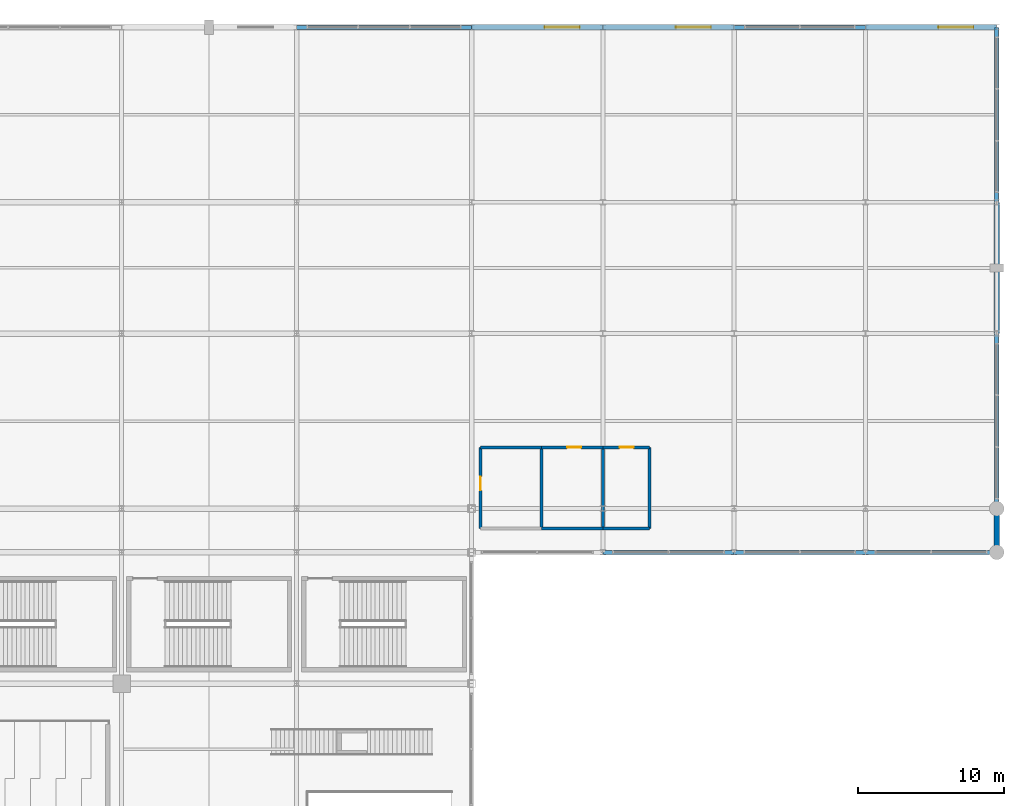
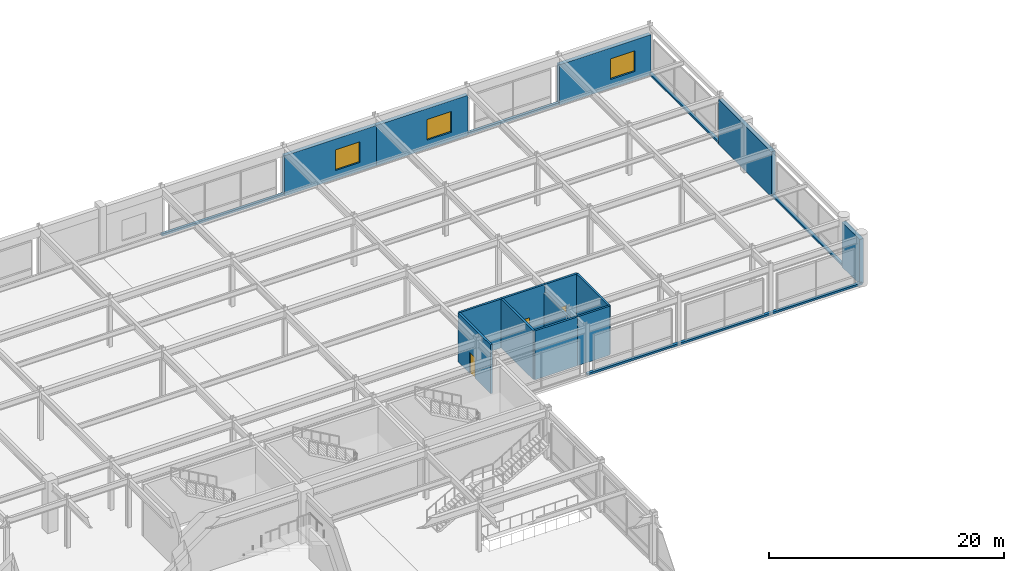
# One storey, part 88 of 100: 21 walls, 3 doors, 3 windows, 6 openings.
"""IFC4 building model written with IfcOpenShell, lengths in metres."""

from ifc_helpers import new_model, si_unit, direction, frame, frame_2d, origin, place, context, subcontext, project, spatial, rectangle, extrude, material, layer, layer_set, type_object, element, fill, save


model = new_model("IFC4")

# Units and contexts
model_context = context("Model", 3, precision=1e-05, world=origin(), true_north=direction((0.0, 1.0)))
body_context = subcontext(model_context, "Body", "Model", "MODEL_VIEW")
ifc_project = project(units=[si_unit("LENGTHUNIT", "METRE"), si_unit("AREAUNIT", "SQUARE_METRE"), si_unit("VOLUMEUNIT", "CUBIC_METRE"), si_unit("PLANEANGLEUNIT", "RADIAN"), si_unit("MASSUNIT", "GRAM", prefix="KILO")], contexts=[model_context])

# Site, building, storey
site_placement = place(None, origin())
site = spatial("IfcSite", under=ifc_project, at=site_placement, CompositionType="ELEMENT")
building_placement = place(site_placement, origin())
building = spatial("IfcBuilding", under=site, at=building_placement, Name="Kaldorvane Square Convention Centre", CompositionType="ELEMENT")
storey_placement = place(building_placement, frame((0.0, 0.0, 18.0)))
storey = spatial("IfcBuildingStorey", under=building, at=storey_placement, Name="L03", CompositionType="ELEMENT", Elevation=18.0)

# Walls
ifc_material_1 = material(Name="Fire-Rated Gypsum Board on Acoustic Steel Studs", Category="steel")
ifc_layer_1 = layer(ifc_material_1, 0.1999969482421875)
ifc_layer_set_1 = layer_set([ifc_layer_1], Name="Fire-Rated Gypsum Board on Acoustic Steel Studs")
wall_type_1 = type_object("IfcWallType", Name="WL-CORR-200", PredefinedType="PARTITIONING", material=ifc_layer_set_1)
wall_1_placement = place(storey_placement, frame((142.8000030517578, 82.64999389648438, 0.0), z_axis=(0.0, 0.0, 1.0), x_axis=(0.0, 1.0, 0.0)))
element("IfcWall", 1, at=wall_1_placement, inside=storey, type_object=wall_type_1, Name="East Concourse Men's Restroom (L03) E Wall", PredefinedType="PARTITIONING", context=body_context, shape_type="SweptSolid", body=[
    extrude(rectangle(XDim=5.5500030517578125, YDim=0.1999969482421875, at=frame_2d((2.774993896484375, 0.0))), origin(), (0.0, 0.0, 1.0), 5.0800018310546875),
])
wall_2_placement = place(storey_placement, frame((142.8000030517578, 88.19999694824219, 0.0), z_axis=(0.0, 0.0, 1.0), x_axis=(-1.0, 0.0, 0.0)))
element("IfcWall", 2, at=wall_2_placement, inside=storey, type_object=wall_type_1, Name="East Concourse Men's Restroom (L03) N Wall", PredefinedType="PARTITIONING", context=body_context, shape_type="SweptSolid", body=[
    extrude(rectangle(XDim=4.1999969482421875, YDim=0.1999969482421875, at=frame_2d((2.100006103515625, 0.0))), origin(), (0.0, 0.0, 1.0), 5.0800018310546875),
])

# Wall, opening, door
wall_3_placement = place(storey_placement, frame((138.60000610351562, 88.19999694824219, 0.0), z_axis=(0.0, 0.0, 1.0), x_axis=(0.0, -1.0, 0.0)))
wall_3 = element("IfcWall", 3, at=wall_3_placement, inside=storey, type_object=wall_type_1, Name="East Concourse Men's Restroom (L03) W Wall", PredefinedType="PARTITIONING", context=body_context, shape_type="SweptSolid", body=[
    extrude(rectangle(XDim=5.5500030517578125, YDim=0.1999969482421875, at=frame_2d((2.774993896484375, 0.0))), origin(), (0.0, 0.0, 1.0), 5.0800018310546875),
])
opening_1_placement = place(wall_3_placement, frame((2.0, 0.0, 0.0)))
opening_1 = element("IfcOpeningElement", 4, at=opening_1_placement, cuts=wall_3, Name="Opening ID-13", PredefinedType="OPENING", context=body_context, shape_type="SweptSolid", body=[
    extrude(rectangle(XDim=0.9499969482421875, YDim=2.149993896484375, at=frame_2d((0.475006103515625, 1.0749969482421875))), frame((0.0, 0.114990234375, 0.0), z_axis=(0.0, -1.0, 0.0), x_axis=(1.0, 0.0, 0.0)), (0.0, 0.0, 1.0), 0.2299957275390625),
])
ifc_material_2 = material(Name="Architectural Solid-Core White Oak")
door_type = type_object("IfcDoorType", Name="DR-WC-0950X2150", OperationType="SINGLE_SWING_LEFT", PredefinedType="DOOR", material=ifc_material_2)
door_1_placement = place(opening_1_placement, origin())
door_1 = element("IfcDoor", 5, at=door_1_placement, inside=storey, type_object=door_type, Name="East Concourse Men's Restroom (L03) Door 1", OperationType="SINGLE_SWING_LEFT", OverallHeight=2.149993896484375, OverallWidth=0.9499969482421875, PredefinedType="DOOR", context=body_context, shape_type="SweptSolid", body=[
    extrude(rectangle(XDim=0.9499969482421875, YDim=2.149993896484375, at=frame_2d((0.475006103515625, 1.0749969482421875))), frame((0.0, 0.024993896484375, 0.0), z_axis=(0.0, -1.0, 0.0), x_axis=(1.0, 0.0, 0.0)), (0.0, 0.0, 1.0), 0.0500030517578125),
])
fill(opening_1, door_1)

# Walls
wall_4_placement = place(storey_placement, frame((142.8000030517578, 82.64999389648438, 0.0), z_axis=(0.0, 0.0, 1.0), x_axis=(1.0, 0.0, 0.0)))
element("IfcWall", 6, at=wall_4_placement, inside=storey, type_object=wall_type_1, Name="East Concourse Women's Restroom (L03) S Wall", PredefinedType="PARTITIONING", context=body_context, shape_type="SweptSolid", body=[
    extrude(rectangle(XDim=4.1999969482421875, YDim=0.1999969482421875, at=frame_2d((2.100006103515625, 0.0))), origin(), (0.0, 0.0, 1.0), 5.0800018310546875),
])
wall_5_placement = place(storey_placement, frame((147.0, 82.64999389648438, 0.0), z_axis=(0.0, 0.0, 1.0), x_axis=(0.0, 1.0, 0.0)))
element("IfcWall", 7, at=wall_5_placement, inside=storey, type_object=wall_type_1, Name="East Concourse Women's Restroom (L03) E Wall", PredefinedType="PARTITIONING", context=body_context, shape_type="SweptSolid", body=[
    extrude(rectangle(XDim=5.5500030517578125, YDim=0.1999969482421875, at=frame_2d((2.774993896484375, 0.0))), origin(), (0.0, 0.0, 1.0), 4.2299957275390625),
])

# Wall, opening, door
wall_6_placement = place(storey_placement, frame((147.0, 88.19999694824219, 0.0), z_axis=(0.0, 0.0, 1.0), x_axis=(-1.0, 0.0, 0.0)))
wall_6 = element("IfcWall", 8, at=wall_6_placement, inside=storey, type_object=wall_type_1, Name="East Concourse Women's Restroom (L03) N Wall", PredefinedType="PARTITIONING", context=body_context, shape_type="SweptSolid", body=[
    extrude(rectangle(XDim=4.1999969482421875, YDim=0.1999969482421875, at=frame_2d((2.100006103515625, 0.0))), origin(), (0.0, 0.0, 1.0), 5.0800018310546875),
])
opening_2_placement = place(wall_6_placement, frame((1.5, 0.0, 0.0)))
opening_2 = element("IfcOpeningElement", 9, at=opening_2_placement, cuts=wall_6, Name="Opening ID-13", PredefinedType="OPENING", context=body_context, shape_type="SweptSolid", body=[
    extrude(rectangle(XDim=0.9499969482421875, YDim=2.149993896484375, at=frame_2d((0.475006103515625, 1.0749969482421875))), frame((0.0, 0.114990234375, 0.0), z_axis=(0.0, -1.0, 0.0), x_axis=(1.0, 0.0, 0.0)), (0.0, 0.0, 1.0), 0.2299957275390625),
])
door_2_placement = place(opening_2_placement, origin())
door_2 = element("IfcDoor", 10, at=door_2_placement, inside=storey, type_object=door_type, Name="East Concourse Women's Restroom (L03) Door 1", OperationType="SINGLE_SWING_LEFT", OverallHeight=2.149993896484375, OverallWidth=0.9499969482421875, PredefinedType="DOOR", context=body_context, shape_type="SweptSolid", body=[
    extrude(rectangle(XDim=0.9499969482421875, YDim=2.149993896484375, at=frame_2d((0.475006103515625, 1.0749969482421875))), frame((0.0, 0.024993896484375, 0.0), z_axis=(0.0, -1.0, 0.0), x_axis=(1.0, 0.0, 0.0)), (0.0, 0.0, 1.0), 0.0500030517578125),
])
fill(opening_2, door_2)

# Walls
wall_7_placement = place(storey_placement, frame((147.0, 82.64999389648438, 0.0), z_axis=(0.0, 0.0, 1.0), x_axis=(1.0, 0.0, 0.0)))
element("IfcWall", 11, at=wall_7_placement, inside=storey, type_object=wall_type_1, Name="East Concourse Accessible Restroom (L03) S Wall", PredefinedType="PARTITIONING", context=body_context, shape_type="SweptSolid", body=[
    extrude(rectangle(XDim=3.1999969482421875, YDim=0.1999969482421875, at=frame_2d((1.600006103515625, 0.0))), origin(), (0.0, 0.0, 1.0), 5.0800018310546875),
])
wall_8_placement = place(storey_placement, frame((150.1999969482422, 82.64999389648438, 0.0), z_axis=(0.0, 0.0, 1.0), x_axis=(0.0, 1.0, 0.0)))
element("IfcWall", 12, at=wall_8_placement, inside=storey, type_object=wall_type_1, Name="East Concourse Accessible Restroom (L03) E Wall", PredefinedType="PARTITIONING", context=body_context, shape_type="SweptSolid", body=[
    extrude(rectangle(XDim=5.5500030517578125, YDim=0.1999969482421875, at=frame_2d((2.774993896484375, 0.0))), origin(), (0.0, 0.0, 1.0), 5.0800018310546875),
])

# Wall, opening, door
wall_9_placement = place(storey_placement, frame((150.1999969482422, 88.19999694824219, 0.0), z_axis=(0.0, 0.0, 1.0), x_axis=(-1.0, 0.0, 0.0)))
wall_9 = element("IfcWall", 13, at=wall_9_placement, inside=storey, type_object=wall_type_1, Name="East Concourse Accessible Restroom (L03) N Wall", PredefinedType="PARTITIONING", context=body_context, shape_type="SweptSolid", body=[
    extrude(rectangle(XDim=3.1999969482421875, YDim=0.1999969482421875, at=frame_2d((1.600006103515625, 0.0))), origin(), (0.0, 0.0, 1.0), 5.0800018310546875),
])
opening_3_placement = place(wall_9_placement, frame((1.100006103515625, 0.0, 0.0)))
opening_3 = element("IfcOpeningElement", 14, at=opening_3_placement, cuts=wall_9, Name="Opening ID-13", PredefinedType="OPENING", context=body_context, shape_type="SweptSolid", body=[
    extrude(rectangle(XDim=0.9499969482421875, YDim=2.149993896484375, at=frame_2d((0.475006103515625, 1.0749969482421875))), frame((0.0, 0.114990234375, 0.0), z_axis=(0.0, -1.0, 0.0), x_axis=(1.0, 0.0, 0.0)), (0.0, 0.0, 1.0), 0.2299957275390625),
])
door_3_placement = place(opening_3_placement, origin())
door_3 = element("IfcDoor", 15, at=door_3_placement, inside=storey, type_object=door_type, Name="East Concourse Accessible Restroom (L03) Door 1", OperationType="SINGLE_SWING_LEFT", OverallHeight=2.149993896484375, OverallWidth=0.9499969482421875, PredefinedType="DOOR", context=body_context, shape_type="SweptSolid", body=[
    extrude(rectangle(XDim=0.9499969482421875, YDim=2.149993896484375, at=frame_2d((0.475006103515625, 1.0749969482421875))), frame((0.0, 0.024993896484375, 0.0), z_axis=(0.0, -1.0, 0.0), x_axis=(1.0, 0.0, 0.0)), (0.0, 0.0, 1.0), 0.0500030517578125),
])
fill(opening_3, door_3)

# Wall, opening, window
ifc_material_3 = material(Name="Concrete f'c = 42 MPa (Normalweight)", Category="concrete")
ifc_layer_2 = layer(ifc_material_3, 0.3800048828125)
ifc_layer_set_2 = layer_set([ifc_layer_2], Name="Concrete f'c = 42 MPa (Normalweight)")
wall_type_2 = type_object("IfcWallType", Name="WL-EXT-380", PredefinedType="STANDARD", material=ifc_layer_set_2)
wall_10_placement = place(storey_placement, frame((147.0, 117.0, 0.0), z_axis=(0.0, 0.0, 1.0), x_axis=(-1.0, 0.0, 0.0)))
wall_10 = element("IfcWall", 16, at=wall_10_placement, inside=storey, type_object=wall_type_2, Name="North Square Brutalist Facade Wall (L03)", PredefinedType="STANDARD", context=body_context, shape_type="SweptSolid", body=[
    extrude(rectangle(XDim=9.0, YDim=0.3800048828125, at=frame_2d((4.5, 0.0))), origin(), (0.0, 0.0, 1.0), 4.175994873046875),
])
opening_4_placement = place(wall_10_placement, frame((1.600006103515625, 0.0, 0.899993896484375)))
opening_4 = element("IfcOpeningElement", 17, at=opening_4_placement, cuts=wall_10, Name="Opening W-19", PredefinedType="OPENING", context=body_context, shape_type="SweptSolid", body=[
    extrude(rectangle(XDim=2.399993896484375, YDim=2.149993896484375, at=frame_2d((1.1999969482421875, 1.0749969482421875))), frame((0.0, 0.2050018310546875, 0.0), z_axis=(0.0, -1.0, 0.0), x_axis=(1.0, 0.0, 0.0)), (0.0, 0.0, 1.0), 0.410003662109375),
])
ifc_material_4 = material(Name="Anodized Aluminum and Low-E Insulated Glazing", Category="aluminium")
window_type = type_object("IfcWindowType", Name="WN-POD-2400X2150", PartitioningType="DOUBLE_PANEL_VERTICAL", PredefinedType="WINDOW", material=ifc_material_4)
window_1_placement = place(opening_4_placement, origin())
window_1 = element("IfcWindow", 18, at=window_1_placement, inside=storey, type_object=window_type, Name="North Facade Window (L03)", OverallHeight=2.149993896484375, OverallWidth=2.399993896484375, PartitioningType="DOUBLE_PANEL_VERTICAL", PredefinedType="WINDOW", context=body_context, shape_type="SweptSolid", body=[
    extrude(rectangle(XDim=2.399993896484375, YDim=2.149993896484375, at=frame_2d((1.1999969482421875, 1.0749969482421875))), frame((0.0, 0.029998779296875, 0.0), z_axis=(0.0, -1.0, 0.0), x_axis=(1.0, 0.0, 0.0)), (0.0, 0.0, 1.0), 0.05999755859375),
])
fill(opening_4, window_1)

wall_11_placement = place(storey_placement, frame((156.0, 117.0, 0.0), z_axis=(0.0, 0.0, 1.0), x_axis=(-1.0, 0.0, 0.0)))
wall_11 = element("IfcWall", 19, at=wall_11_placement, inside=storey, type_object=wall_type_2, Name="North Square Brutalist Facade Wall (L03)", PredefinedType="STANDARD", context=body_context, shape_type="SweptSolid", body=[
    extrude(rectangle(XDim=9.0, YDim=0.3800048828125, at=frame_2d((4.5, 0.0))), origin(), (0.0, 0.0, 1.0), 4.175994873046875),
])
opening_5_placement = place(wall_11_placement, frame((1.600006103515625, 0.0, 0.899993896484375)))
opening_5 = element("IfcOpeningElement", 20, at=opening_5_placement, cuts=wall_11, Name="Opening W-19", PredefinedType="OPENING", context=body_context, shape_type="SweptSolid", body=[
    extrude(rectangle(XDim=2.399993896484375, YDim=2.149993896484375, at=frame_2d((1.1999969482421875, 1.0749969482421875))), frame((0.0, 0.2050018310546875, 0.0), z_axis=(0.0, -1.0, 0.0), x_axis=(1.0, 0.0, 0.0)), (0.0, 0.0, 1.0), 0.410003662109375),
])
window_2_placement = place(opening_5_placement, origin())
window_2 = element("IfcWindow", 21, at=window_2_placement, inside=storey, type_object=window_type, Name="North Facade Window (L03)", OverallHeight=2.149993896484375, OverallWidth=2.399993896484375, PartitioningType="DOUBLE_PANEL_VERTICAL", PredefinedType="WINDOW", context=body_context, shape_type="SweptSolid", body=[
    extrude(rectangle(XDim=2.399993896484375, YDim=2.149993896484375, at=frame_2d((1.1999969482421875, 1.0749969482421875))), frame((0.0, 0.029998779296875, 0.0), z_axis=(0.0, -1.0, 0.0), x_axis=(1.0, 0.0, 0.0)), (0.0, 0.0, 1.0), 0.05999755859375),
])
fill(opening_5, window_2)

wall_12_placement = place(storey_placement, frame((174.0, 117.0, 0.0), z_axis=(0.0, 0.0, 1.0), x_axis=(-1.0, 0.0, 0.0)))
wall_12 = element("IfcWall", 22, at=wall_12_placement, inside=storey, type_object=wall_type_2, Name="North Square Brutalist Facade Wall (L03)", PredefinedType="STANDARD", context=body_context, shape_type="SweptSolid", body=[
    extrude(rectangle(XDim=9.0, YDim=0.3800048828125, at=frame_2d((4.5, 0.0))), origin(), (0.0, 0.0, 1.0), 4.175994873046875),
])
opening_6_placement = place(wall_12_placement, frame((1.600006103515625, 0.0, 0.899993896484375)))
opening_6 = element("IfcOpeningElement", 23, at=opening_6_placement, cuts=wall_12, Name="Opening W-19", PredefinedType="OPENING", context=body_context, shape_type="SweptSolid", body=[
    extrude(rectangle(XDim=2.399993896484375, YDim=2.149993896484375, at=frame_2d((1.1999969482421875, 1.0749969482421875))), frame((0.0, 0.2050018310546875, 0.0), z_axis=(0.0, -1.0, 0.0), x_axis=(1.0, 0.0, 0.0)), (0.0, 0.0, 1.0), 0.410003662109375),
])
window_3_placement = place(opening_6_placement, origin())
window_3 = element("IfcWindow", 24, at=window_3_placement, inside=storey, type_object=window_type, Name="North Facade Window (L03)", OverallHeight=2.149993896484375, OverallWidth=2.399993896484375, PartitioningType="DOUBLE_PANEL_VERTICAL", PredefinedType="WINDOW", context=body_context, shape_type="SweptSolid", body=[
    extrude(rectangle(XDim=2.399993896484375, YDim=2.149993896484375, at=frame_2d((1.1999969482421875, 1.0749969482421875))), frame((0.0, 0.029998779296875, 0.0), z_axis=(0.0, -1.0, 0.0), x_axis=(1.0, 0.0, 0.0)), (0.0, 0.0, 1.0), 0.05999755859375),
])
fill(opening_6, window_3)

# Walls
wall_13_placement = place(storey_placement, frame((174.0, 81.0, 0.0), z_axis=(0.0, 0.0, 1.0), x_axis=(0.0, 1.0, 0.0)))
element("IfcWall", 25, at=wall_13_placement, inside=storey, type_object=wall_type_2, Name="East Square Brutalist Wing Wall (L03)", PredefinedType="STANDARD", context=body_context, shape_type="SweptSolid", body=[
    extrude(rectangle(XDim=3.0, YDim=0.3800048828125, at=frame_2d((1.5, 0.0))), origin(), (0.0, 0.0, 1.0), 4.66900634765625),
])
wall_14_placement = place(storey_placement, frame((174.0, 96.0, 0.0), z_axis=(0.0, 0.0, 1.0), x_axis=(0.0, 1.0, 0.0)))
element("IfcWall", 26, at=wall_14_placement, inside=storey, type_object=wall_type_2, Name="East Square Brutalist Wing Wall (L03)", PredefinedType="STANDARD", context=body_context, shape_type="SweptSolid", body=[
    extrude(rectangle(XDim=9.0, YDim=0.3800048828125, at=frame_2d((4.5, 0.0))), origin(), (0.0, 0.0, 1.0), 4.66900634765625),
])
ifc_material_5 = material(Name="Concrete f'c = 35 MPa (Normalweight)", Category="concrete")
ifc_layer_3 = layer(ifc_material_5, 0.279998779296875)
ifc_layer_set_3 = layer_set([ifc_layer_3], Name="Concrete f'c = 35 MPa (Normalweight)")
wall_type_3 = type_object("IfcWallType", Name="WL-PAR-280", PredefinedType="PARAPET", material=ifc_layer_set_3)
wall_15_placement = place(storey_placement, frame((138.0, 117.0, 0.0), z_axis=(0.0, 0.0, 1.0), x_axis=(-1.0, 0.0, 0.0)))
element("IfcWall", 27, at=wall_15_placement, inside=storey, type_object=wall_type_3, Name="North Curtain-Wall Sill Kerb (L03)", PredefinedType="PARAPET", context=body_context, shape_type="SweptSolid", body=[
    extrude(rectangle(XDim=12.0, YDim=0.279998779296875, at=frame_2d((6.0, 0.0))), origin(), (0.0, 0.0, 1.0), 0.1999969482421875),
])
wall_16_placement = place(storey_placement, frame((165.0, 117.0, 0.0), z_axis=(0.0, 0.0, 1.0), x_axis=(-1.0, 0.0, 0.0)))
element("IfcWall", 28, at=wall_16_placement, inside=storey, type_object=wall_type_3, Name="North Curtain-Wall Sill Kerb (L03)", PredefinedType="PARAPET", context=body_context, shape_type="SweptSolid", body=[
    extrude(rectangle(XDim=9.0, YDim=0.279998779296875, at=frame_2d((4.5, 0.0))), origin(), (0.0, 0.0, 1.0), 0.1999969482421875),
])
for number, where, z_axis, x_axis, name in (
    (29, (174.0, 84.0, 0.0), (0.0, 0.0, 1.0), (0.0, 1.0, 0.0), "East Curtain-Wall Sill Kerb (L03)"),
    (30, (174.0, 105.0, 0.0), (0.0, 0.0, 1.0), (0.0, 1.0, 0.0), "East Curtain-Wall Sill Kerb (L03)"),
):
    element("IfcWall", number, at=place(storey_placement, frame(where, z_axis=z_axis, x_axis=x_axis)), inside=storey, type_object=wall_type_3, Name=name, PredefinedType="PARAPET", context=body_context, shape_type="SweptSolid", body=[
        extrude(rectangle(XDim=12.0, YDim=0.279998779296875, at=frame_2d((6.0, 0.0))), origin(), (0.0, 0.0, 1.0), 0.1999969482421875),
    ])
for number, where, z_axis, x_axis, name in (
    (31, (147.0, 81.0, 0.0), (0.0, 0.0, 1.0), (1.0, 0.0, 0.0), "Forecourt Glazing Sill (L03)"),
    (32, (156.0, 81.0, 0.0), (0.0, 0.0, 1.0), (1.0, 0.0, 0.0), "Forecourt Glazing Sill (L03)"),
    (33, (165.0, 81.0, 0.0), (0.0, 0.0, 1.0), (1.0, 0.0, 0.0), "Forecourt Glazing Sill (L03)"),
):
    element("IfcWall", number, at=place(storey_placement, frame(where, z_axis=z_axis, x_axis=x_axis)), inside=storey, type_object=wall_type_3, Name=name, PredefinedType="PARAPET", context=body_context, shape_type="SweptSolid", body=[
        extrude(rectangle(XDim=9.0, YDim=0.279998779296875, at=frame_2d((4.5, 0.0))), origin(), (0.0, 0.0, 1.0), 0.1999969482421875),
    ])

save(model, "model.ifc")
